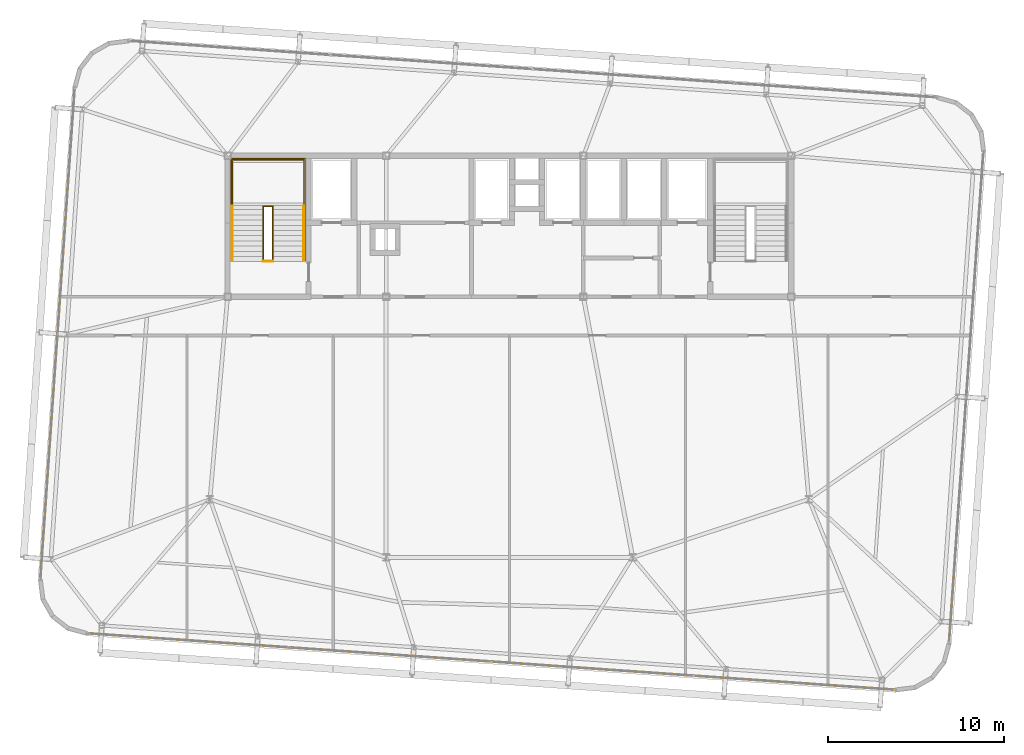
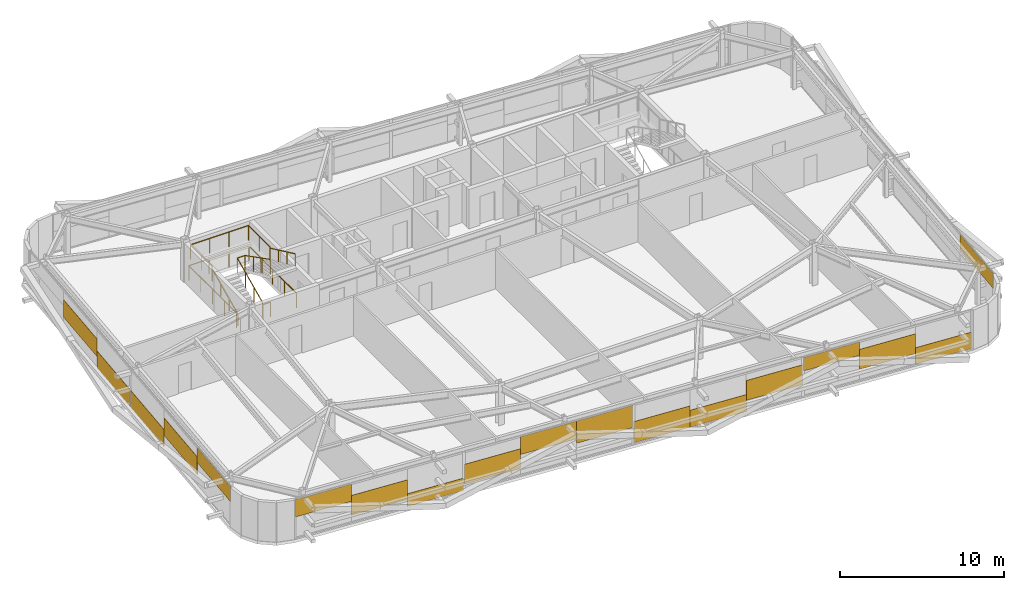
# One storey, part 38 of 39: 18 coverings, 6 railings.
"""IFC4 building model written with IfcOpenShell, lengths in metres."""

from ifc_helpers import new_model, si_unit, direction, frame, origin, origin_2d, place, context, subcontext, project, spatial, rectangle, extrude, source, transform, mapped, material, layer, layer_set, type_object, element, save


model = new_model("IFC4")

# Units and contexts
model_context = context("Model", 3, precision=1e-05, world=origin(), true_north=direction((0.0, 1.0)))
body_context = subcontext(model_context, "Body", "Model", "MODEL_VIEW")
ifc_project = project(units=[si_unit("LENGTHUNIT", "METRE"), si_unit("AREAUNIT", "SQUARE_METRE"), si_unit("VOLUMEUNIT", "CUBIC_METRE"), si_unit("PLANEANGLEUNIT", "RADIAN"), si_unit("MASSUNIT", "GRAM", prefix="KILO")], contexts=[model_context])

# Site, building, storey
site_placement = place(None, origin())
site = spatial("IfcSite", under=ifc_project, at=site_placement, CompositionType="ELEMENT")
building_placement = place(site_placement, origin())
building = spatial("IfcBuilding", under=site, at=building_placement, Name="Taldren Reach Tower", CompositionType="ELEMENT")
storey_placement = place(building_placement, frame((0.0, 0.0, 148.75)))
storey = spatial("IfcBuildingStorey", under=building, at=storey_placement, Name="L45", CompositionType="ELEMENT", Elevation=148.75)

# Railings
ifc_material_1 = material(Name="Steel Gr 350 (C350L0)", Category="steel")
ifc_layer_1 = layer(ifc_material_1, 0.050048828125)
ifc_layer_set_1 = layer_set([ifc_layer_1], Name="Steel Gr 350 (C350L0)")
railing_type_1 = type_object("IfcRailingType", Name="RL-STAIR-GR", PredefinedType="GUARDRAIL", material=ifc_layer_set_1)
railing_1_placement = place(storey_placement, frame((19.260009765625, 29.135009765625, 1.574951171875)))
element("IfcRailing", 1, at=railing_1_placement, inside=storey, type_object=railing_type_1, Name="Stair half-landing perimeter guard ST1-L45", PredefinedType="GUARDRAIL", context=body_context, shape_type="SweptSolid", body=[
    extrude(rectangle(XDim=0.047852, YDim=0.047852, at=origin_2d()), frame((0.0, 0.0, 1.09619140625), z_axis=(0.0, 1.0, 0.0), x_axis=(-1.0, 0.0, 0.0)), (0.0, 0.0, 1.0), 2.64501953125),
    extrude(rectangle(XDim=0.047852, YDim=0.047852, at=origin_2d()), frame((0.0, 2.64501953125, 1.09619140625), z_axis=(1.0, 0.0, 0.0), x_axis=(0.0, 1.0, 0.0)), (0.0, 0.0, 1.0), 4.080078125),
    extrude(rectangle(XDim=0.047852, YDim=0.047852, at=origin_2d()), frame((4.080078125, 2.64501953125, 1.09619140625), z_axis=(0.0, -1.0, 0.0), x_axis=(1.0, 0.0, 0.0)), (0.0, 0.0, 1.0), 2.64501953125),
    extrude(rectangle(XDim=0.041992, YDim=0.041992, at=origin_2d()), origin(), (0.0, 0.0, 1.0), 1.072021484375),
    extrude(rectangle(XDim=0.041992, YDim=0.041992, at=origin_2d()), frame((0.0, 1.322509765625, 0.0)), (0.0, 0.0, 1.0), 1.072021484375),
    extrude(rectangle(XDim=0.041992, YDim=0.041992, at=origin_2d()), frame((0.0, 2.64501953125, 0.0)), (0.0, 0.0, 1.0), 1.072021484375),
    extrude(rectangle(XDim=0.041992, YDim=0.041992, at=origin_2d()), frame((1.360107421875, 2.64501953125, 0.0)), (0.0, 0.0, 1.0), 1.072021484375),
    extrude(rectangle(XDim=0.041992, YDim=0.041992, at=origin_2d()), frame((2.719970703125, 2.64501953125, 0.0)), (0.0, 0.0, 1.0), 1.072021484375),
    extrude(rectangle(XDim=0.041992, YDim=0.041992, at=origin_2d()), frame((4.080078125, 2.64501953125, 0.0)), (0.0, 0.0, 1.0), 1.072021484375),
    extrude(rectangle(XDim=0.041992, YDim=0.041992, at=origin_2d()), frame((4.080078125, 1.322509765625, 0.0)), (0.0, 0.0, 1.0), 1.072021484375),
    extrude(rectangle(XDim=0.041992, YDim=0.041992, at=origin_2d()), frame((4.080078125, 0.0, 0.0)), (0.0, 0.0, 1.0), 1.072021484375),
])
railing_2_placement = place(storey_placement, frame((21.030029296875, 26.050048828125, 0.131103515625)))
element("IfcRailing", 2, at=railing_2_placement, inside=storey, type_object=railing_type_1, Name="Stairwell inner guard ST1-L45", PredefinedType="GUARDRAIL", context=body_context, shape_type="SweptSolid", body=[
    extrude(rectangle(XDim=0.047852, YDim=0.047852, at=origin_2d()), frame((0.0, 0.0, 1.09619140625), z_axis=(0.0, 0.905710134349, 0.423897573167), x_axis=(-1.0, 0.0, 0.0)), (0.0, 0.0, 1.0), 3.406005859375),
    extrude(rectangle(XDim=0.047852, YDim=0.047852, at=origin_2d()), frame((0.0, 3.0849609375, 2.5400390625), z_axis=(1.0, 0.0, 0.0), x_axis=(0.0, 1.0, 0.0)), (0.0, 0.0, 1.0), 0.5400390625),
    extrude(rectangle(XDim=0.047852, YDim=0.047852, at=origin_2d()), frame((0.5400390625, 3.0849609375, 2.5400390625), z_axis=(0.0, -0.890645957773, 0.45469745755), x_axis=(1.0, 0.0, 0.0)), (0.0, 0.0, 1.0), 3.463623046875),
    extrude(rectangle(XDim=0.041992, YDim=0.041992, at=origin_2d()), origin(), (0.0, 0.0, 1.0), 1.072021484375),
    extrude(rectangle(XDim=0.041992, YDim=0.041992, at=origin_2d()), frame((0.0, 1.0283203125, 0.481201171875)), (0.0, 0.0, 1.0), 1.072021484375),
    extrude(rectangle(XDim=0.041992, YDim=0.041992, at=origin_2d()), frame((0.0, 2.056640625, 0.962646484375)), (0.0, 0.0, 1.0), 1.072021484375),
    extrude(rectangle(XDim=0.041992, YDim=0.041992, at=origin_2d()), frame((0.0, 3.0849609375, 1.44384765625)), (0.0, 0.0, 1.0), 1.072021484375),
    extrude(rectangle(XDim=0.041992, YDim=0.041992, at=origin_2d()), frame((0.5400390625, 3.0849609375, 1.44384765625)), (0.0, 0.0, 1.0), 1.072021484375),
    extrude(rectangle(XDim=0.041992, YDim=0.041992, at=origin_2d()), frame((0.5400390625, 2.056640625, 1.96875)), (0.0, 0.0, 1.0), 1.072021484375),
    extrude(rectangle(XDim=0.041992, YDim=0.041992, at=origin_2d()), frame((0.5400390625, 1.0283203125, 2.493896484375)), (0.0, 0.0, 1.0), 1.072021484375),
    extrude(rectangle(XDim=0.041992, YDim=0.041992, at=origin_2d()), frame((0.5400390625, 0.0, 3.018798828125)), (0.0, 0.0, 1.0), 1.072021484375),
])
railing_3_placement = place(storey_placement, frame((21.030029296875, 26.010009765625, 0.0)))
element("IfcRailing", 3, at=railing_3_placement, inside=storey, type_object=railing_type_1, Name="Stairwell landing slot guard ST1-L45", PredefinedType="GUARDRAIL", context=body_context, shape_type="SweptSolid", body=[
    extrude(rectangle(XDim=0.047852, YDim=0.047852, at=origin_2d()), frame((0.0, 0.0, 1.09619140625), z_axis=(1.0, 0.0, 0.0), x_axis=(0.0, 1.0, 0.0)), (0.0, 0.0, 1.0), 0.5400390625),
    extrude(rectangle(XDim=0.041992, YDim=0.041992, at=origin_2d()), origin(), (0.0, 0.0, 1.0), 1.072021484375),
    extrude(rectangle(XDim=0.041992, YDim=0.041992, at=origin_2d()), frame((0.5400390625, 0.0, 0.0)), (0.0, 0.0, 1.0), 1.072021484375),
])
railing_4_placement = place(storey_placement, frame((19.18994140625, 26.050048828125, 0.0)))
element("IfcRailing", 4, at=railing_4_placement, inside=storey, type_object=railing_type_1, Name="Stairwell floor opening guard ST1-L45", PredefinedType="GUARDRAIL", context=body_context, shape_type="SweptSolid", body=[
    extrude(rectangle(XDim=0.047852, YDim=0.047852, at=origin_2d()), frame((0.0, 0.0, 1.09619140625), z_axis=(0.0, 1.0, 0.0), x_axis=(-1.0, 0.0, 0.0)), (0.0, 0.0, 1.0), 5.800048828125),
    extrude(rectangle(XDim=0.047852, YDim=0.047852, at=origin_2d()), frame((0.0, 5.800048828125, 1.09619140625), z_axis=(1.0, 0.0, 0.0), x_axis=(0.0, 1.0, 0.0)), (0.0, 0.0, 1.0), 4.219970703125),
    extrude(rectangle(XDim=0.047852, YDim=0.047852, at=origin_2d()), frame((4.219970703125, 5.800048828125, 1.09619140625), z_axis=(0.0, -1.0, 0.0), x_axis=(1.0, 0.0, 0.0)), (0.0, 0.0, 1.0), 5.800048828125),
    extrude(rectangle(XDim=0.041992, YDim=0.041992, at=origin_2d()), origin(), (0.0, 0.0, 1.0), 1.072021484375),
    extrude(rectangle(XDim=0.041992, YDim=0.041992, at=origin_2d()), frame((0.0, 1.449951171875, 0.0)), (0.0, 0.0, 1.0), 1.072021484375),
    extrude(rectangle(XDim=0.041992, YDim=0.041992, at=origin_2d()), frame((0.0, 2.89990234375, 0.0)), (0.0, 0.0, 1.0), 1.072021484375),
    extrude(rectangle(XDim=0.041992, YDim=0.041992, at=origin_2d()), frame((0.0, 4.35009765625, 0.0)), (0.0, 0.0, 1.0), 1.072021484375),
    extrude(rectangle(XDim=0.041992, YDim=0.041992, at=origin_2d()), frame((0.0, 5.800048828125, 0.0)), (0.0, 0.0, 1.0), 1.072021484375),
    extrude(rectangle(XDim=0.041992, YDim=0.041992, at=origin_2d()), frame((1.40673828125, 5.800048828125, 0.0)), (0.0, 0.0, 1.0), 1.072021484375),
    extrude(rectangle(XDim=0.041992, YDim=0.041992, at=origin_2d()), frame((2.813232421875, 5.800048828125, 0.0)), (0.0, 0.0, 1.0), 1.072021484375),
    extrude(rectangle(XDim=0.041992, YDim=0.041992, at=origin_2d()), frame((4.219970703125, 5.800048828125, 0.0)), (0.0, 0.0, 1.0), 1.072021484375),
    extrude(rectangle(XDim=0.041992, YDim=0.041992, at=origin_2d()), frame((4.219970703125, 4.35009765625, 0.0)), (0.0, 0.0, 1.0), 1.072021484375),
    extrude(rectangle(XDim=0.041992, YDim=0.041992, at=origin_2d()), frame((4.219970703125, 2.89990234375, 0.0)), (0.0, 0.0, 1.0), 1.072021484375),
    extrude(rectangle(XDim=0.041992, YDim=0.041992, at=origin_2d()), frame((4.219970703125, 1.449951171875, 0.0)), (0.0, 0.0, 1.0), 1.072021484375),
    extrude(rectangle(XDim=0.041992, YDim=0.041992, at=origin_2d()), frame((4.219970703125, 0.0, 0.0)), (0.0, 0.0, 1.0), 1.072021484375),
])
ifc_material_2 = material(Name="Stainless Steel Gr 316", Category="steel")
ifc_layer_2 = layer(ifc_material_2, 0.048095703125)
ifc_layer_set_2 = layer_set([ifc_layer_2], Name="Stainless Steel Gr 316")
railing_type_2 = type_object("IfcRailingType", Name="RL-STAIR-HR", PredefinedType="HANDRAIL", material=ifc_layer_set_2)
railing_5_placement = place(storey_placement, frame((19.27001953125, 26.050048828125, 0.131103515625)))
element("IfcRailing", 5, at=railing_5_placement, inside=storey, type_object=railing_type_2, Name="Stair flight handrail ST1-L45-1", PredefinedType="HANDRAIL", context=body_context, shape_type="SweptSolid", body=[
    extrude(rectangle(XDim=0.047852, YDim=0.047852, at=origin_2d()), frame((0.0, 0.0, 0.89599609375), z_axis=(0.0, 0.905710134349, 0.423897573167), x_axis=(-1.0, 0.0, 0.0)), (0.0, 0.0, 1.0), 3.406005859375),
    extrude(rectangle(XDim=0.041992, YDim=0.041992, at=origin_2d()), origin(), (0.0, 0.0, 1.0), 0.871826171875),
    extrude(rectangle(XDim=0.041992, YDim=0.041992, at=origin_2d()), frame((0.0, 1.0283203125, 0.481201171875)), (0.0, 0.0, 1.0), 0.871826171875),
    extrude(rectangle(XDim=0.041992, YDim=0.041992, at=origin_2d()), frame((0.0, 2.056640625, 0.962646484375)), (0.0, 0.0, 1.0), 0.871826171875),
    extrude(rectangle(XDim=0.041992, YDim=0.041992, at=origin_2d()), frame((0.0, 3.0849609375, 1.44384765625)), (0.0, 0.0, 1.0), 0.871826171875),
])
railing_6_placement = place(storey_placement, frame((23.330078125, 29.135009765625, 1.706298828125)))
element("IfcRailing", 6, at=railing_6_placement, inside=storey, type_object=railing_type_2, Name="Stair flight handrail ST1-L45-2", PredefinedType="HANDRAIL", context=body_context, shape_type="SweptSolid", body=[
    extrude(rectangle(XDim=0.047852, YDim=0.047852, at=origin_2d()), frame((0.0, 0.0, 0.89599609375), z_axis=(0.0, -0.905737652094, 0.423838773095), x_axis=(1.0, 0.0, 0.0)), (0.0, 0.0, 1.0), 3.406005859375),
    extrude(rectangle(XDim=0.041992, YDim=0.041992, at=origin_2d()), origin(), (0.0, 0.0, 1.0), 0.871826171875),
    extrude(rectangle(XDim=0.041992, YDim=0.041992, at=origin_2d()), frame((0.0, -1.0283203125, 0.481201171875)), (0.0, 0.0, 1.0), 0.871826171875),
    extrude(rectangle(XDim=0.041992, YDim=0.041992, at=origin_2d()), frame((0.0, -2.056640625, 0.96240234375)), (0.0, 0.0, 1.0), 0.871826171875),
    extrude(rectangle(XDim=0.041992, YDim=0.041992, at=origin_2d()), frame((0.0, -3.0849609375, 1.443603515625)), (0.0, 0.0, 1.0), 0.871826171875),
])

# Coverings
ifc_material_3 = material(Name="Pale Champagne Fluoropolymer Aluminium Spandrel Cladding", Category="aluminium")
ifc_layer_3 = layer(ifc_material_3, 0.0439453125)
ifc_layer_set_3 = layer_set([ifc_layer_3], Name="Pale Champagne Fluoropolymer Aluminium Spandrel Cladding")
covering_type = type_object("IfcCoveringType", Name="CV-CLAD-044", PredefinedType="CLADDING", material=ifc_layer_set_3)
shared_shape_1 = source(origin(), body_context, "Body", "SweptSolid", [
    extrude(rectangle(XDim=3.79833984375, YDim=0.0439453125, at=origin_2d()), origin(), (0.0, 0.0, 1.0), 1.22216796875),
])
covering_1_placement = place(storey_placement, frame((54.95361328125, 1.81396484375, 0.054931640625), z_axis=(0.0, 0.0, 1.0), x_axis=(0.99756404731, -0.06975651593, 0.0)))
element("IfcCovering", 7, at=covering_1_placement, inside=storey, type_object=covering_type, Name="Diagrid closure cladding strip CW-4 panel 4.1 3", PredefinedType="CLADDING", context=body_context, shape_type="MappedRepresentation", body=[
    mapped(shared_shape_1, transform((0.0, 0.0, 0.0), scale=1.0)),
])
shared_shape_2 = source(origin(), body_context, "Body", "SweptSolid", [
    extrude(rectangle(XDim=3.79833984375, YDim=0.0439453125, at=origin_2d()), origin(), (0.0, 0.0, 1.0), 1.474365234375),
])
for number, where, z_axis, x_axis, name in (
    (8, (16.783447265625, 4.483154296875, 0.5537109375), (0.0, 0.0, 1.0), (0.99756404731, -0.06975651593, 0.0), "Diagrid closure cladding strip CW-4 panel 1.1 2"),
    (9, (51.16455078125, 2.0791015625, 0.84228515625), (0.0, 0.0, 1.0), (0.99756404731, -0.06975651593, 0.0), "Diagrid closure cladding strip CW-4 panel 4.1 2"),
):
    element("IfcCovering", number, at=place(storey_placement, frame(where, z_axis=z_axis, x_axis=x_axis)), inside=storey, type_object=covering_type, Name=name, PredefinedType="CLADDING", context=body_context, shape_type="MappedRepresentation", body=[
        mapped(shared_shape_2, transform((0.0, 0.0, 0.0), scale=1.0)),
    ])
shared_shape_3 = source(origin(), body_context, "Body", "SweptSolid", [
    extrude(rectangle(XDim=3.79833984375, YDim=0.0439453125, at=origin_2d()), origin(), (0.0, 0.0, 1.0), 0.993408203125),
])
covering_2_placement = place(storey_placement, frame((47.375244140625, 2.343994140625, 1.88134765625), z_axis=(0.0, 0.0, 1.0), x_axis=(0.99756404731, -0.06975651593, 0.0)))
element("IfcCovering", 10, at=covering_2_placement, inside=storey, type_object=covering_type, Name="Diagrid closure cladding strip CW-4 panel 4.1 1", PredefinedType="CLADDING", context=body_context, shape_type="MappedRepresentation", body=[
    mapped(shared_shape_3, transform((0.0, 0.0, 0.0), scale=1.0)),
])
shared_shape_4 = source(origin(), body_context, "Body", "SweptSolid", [
    extrude(rectangle(XDim=3.81005859375, YDim=0.0439453125, at=origin_2d()), origin(), (0.0, 0.0, 1.0), 1.477783203125),
])
for number, where, z_axis, x_axis, name in (
    (11, (24.437255859375, 3.947998046875, 0.51025390625), (0.0, 0.0, 1.0), (0.99756404731, -0.06975651593, 0.0), "Diagrid closure cladding strip CW-4 panel 2.1 1"),
    (12, (43.510498046875, 2.6142578125, 0.88232421875), (0.0, 0.0, 1.0), (0.99756404731, -0.06975651593, 0.0), "Diagrid closure cladding strip CW-4 panel 3.1 3"),
):
    element("IfcCovering", number, at=place(storey_placement, frame(where, z_axis=z_axis, x_axis=x_axis)), inside=storey, type_object=covering_type, Name=name, PredefinedType="CLADDING", context=body_context, shape_type="MappedRepresentation", body=[
        mapped(shared_shape_4, transform((0.0, 0.0, 0.0), scale=1.0)),
    ])
shared_shape_5 = source(origin(), body_context, "Body", "SweptSolid", [
    extrude(rectangle(XDim=3.81005859375, YDim=0.0439453125, at=origin_2d()), origin(), (0.0, 0.0, 1.0), 1.26220703125),
])
covering_3_placement = place(storey_placement, frame((39.7099609375, 2.8798828125, 0.05517578125), z_axis=(0.0, 0.0, 1.0), x_axis=(0.99756404731, -0.06975651593, 0.0)))
element("IfcCovering", 13, at=covering_3_placement, inside=storey, type_object=covering_type, Name="Diagrid closure cladding strip CW-4 panel 3.1 2", PredefinedType="CLADDING", context=body_context, shape_type="MappedRepresentation", body=[
    mapped(shared_shape_5, transform((0.0, 0.0, 0.0), scale=1.0)),
])
shared_shape_6 = source(origin(), body_context, "Body", "SweptSolid", [
    extrude(rectangle(XDim=3.81005859375, YDim=0.0439453125, at=origin_2d()), origin(), (0.0, 0.0, 1.0), 1.587890625),
])
covering_4_placement = place(storey_placement, frame((35.9091796875, 3.145751953125, 0.054931640625), z_axis=(0.0, 0.0, 1.0), x_axis=(0.99756404731, -0.06975651593, 0.0)))
element("IfcCovering", 14, at=covering_4_placement, inside=storey, type_object=covering_type, Name="Diagrid closure cladding strip CW-4 panel 3.1 1", PredefinedType="CLADDING", context=body_context, shape_type="MappedRepresentation", body=[
    mapped(shared_shape_6, transform((0.0, 0.0, 0.0), scale=1.0)),
])
shared_shape_7 = source(origin(), body_context, "Body", "SweptSolid", [
    extrude(rectangle(XDim=3.81005859375, YDim=0.0439453125, at=origin_2d()), origin(), (0.0, 0.0, 1.0), 1.64794921875),
])
covering_5_placement = place(storey_placement, frame((32.03857421875, 3.41650390625, 1.22705078125), z_axis=(0.0, 0.0, 1.0), x_axis=(0.99756404731, -0.06975651593, 0.0)))
element("IfcCovering", 15, at=covering_5_placement, inside=storey, type_object=covering_type, Name="Diagrid closure cladding strip CW-4 panel 2.1 3", PredefinedType="CLADDING", context=body_context, shape_type="MappedRepresentation", body=[
    mapped(shared_shape_7, transform((0.0, 0.0, 0.0), scale=1.0)),
])
shared_shape_8 = source(origin(), body_context, "Body", "SweptSolid", [
    extrude(rectangle(XDim=3.81005859375, YDim=0.0439453125, at=origin_2d()), origin(), (0.0, 0.0, 1.0), 1.322265625),
])
covering_6_placement = place(storey_placement, frame((28.23779296875, 3.68212890625, 1.552734375), z_axis=(0.0, 0.0, 1.0), x_axis=(0.99756404731, -0.06975651593, 0.0)))
element("IfcCovering", 16, at=covering_6_placement, inside=storey, type_object=covering_type, Name="Diagrid closure cladding strip CW-4 panel 2.1 2", PredefinedType="CLADDING", context=body_context, shape_type="MappedRepresentation", body=[
    mapped(shared_shape_8, transform((0.0, 0.0, 0.0), scale=1.0)),
])
shared_shape_9 = source(origin(), body_context, "Body", "SweptSolid", [
    extrude(rectangle(XDim=3.79833984375, YDim=0.0439453125, at=origin_2d()), origin(), (0.0, 0.0, 1.0), 0.93359375),
])
covering_7_placement = place(storey_placement, frame((20.572509765625, 4.21826171875, 0.054931640625), z_axis=(0.0, 0.0, 1.0), x_axis=(0.99756404731, -0.06975651593, 0.0)))
element("IfcCovering", 17, at=covering_7_placement, inside=storey, type_object=covering_type, Name="Diagrid closure cladding strip CW-4 panel 1.1 3", PredefinedType="CLADDING", context=body_context, shape_type="MappedRepresentation", body=[
    mapped(shared_shape_9, transform((0.0, 0.0, 0.0), scale=1.0)),
])
shared_shape_10 = source(origin(), body_context, "Body", "SweptSolid", [
    extrude(rectangle(XDim=3.79833984375, YDim=0.0439453125, at=origin_2d()), origin(), (0.0, 0.0, 1.0), 1.2822265625),
])
covering_8_placement = place(storey_placement, frame((12.994384765625, 4.748046875, 1.5927734375), z_axis=(0.0, 0.0, 1.0), x_axis=(0.99756404731, -0.06975651593, 0.0)))
element("IfcCovering", 18, at=covering_8_placement, inside=storey, type_object=covering_type, Name="Diagrid closure cladding strip CW-4 panel 1.1 1", PredefinedType="CLADDING", context=body_context, shape_type="MappedRepresentation", body=[
    mapped(shared_shape_10, transform((0.0, 0.0, 0.0), scale=1.0)),
])
shared_shape_11 = source(origin(), body_context, "Body", "SweptSolid", [
    extrude(rectangle(XDim=4.631591796875, YDim=0.0439453125, at=origin_2d()), origin(), (0.0, 0.0, 1.0), 1.306640625),
])
for number, where, z_axis, x_axis, name in (
    (19, (9.840087890625, 28.869384765625, 0.892333984375), (0.0, 0.0, 1.0), (-0.069756437251, -0.997564052812, 0.0), "Diagrid closure cladding strip CW-4 panel 1.1 2"),
    (20, (8.865966796875, 14.9384765625, 0.892333984375), (0.0, 0.0, 1.0), (-0.069756437251, -0.997564052812, 0.0), "Diagrid closure cladding strip CW-4 panel 2.1 2"),
):
    element("IfcCovering", number, at=place(storey_placement, frame(where, z_axis=z_axis, x_axis=x_axis)), inside=storey, type_object=covering_type, Name=name, PredefinedType="CLADDING", context=body_context, shape_type="MappedRepresentation", body=[
        mapped(shared_shape_11, transform((0.0, 0.0, 0.0), scale=1.0)),
    ])
shared_shape_12 = source(origin(), body_context, "Body", "SweptSolid", [
    extrude(rectangle(XDim=4.631591796875, YDim=0.0439453125, at=origin_2d()), origin(), (0.0, 0.0, 1.0), 1.103515625),
])
for number, where, z_axis, x_axis, name in (
    (21, (8.542724609375, 10.318115234375, 1.771484375), (0.0, 0.0, 1.0), (-0.069756437251, -0.997564052812, 0.0), "Diagrid closure cladding strip CW-4 panel 2.1 3"),
    (22, (60.136962890625, 6.710205078125, 1.771484375), (0.0, 0.0, 1.0), (0.069756437251, 0.997564052812, 0.0), "Diagrid closure cladding strip CW-4 panel 1.1 1"),
):
    element("IfcCovering", number, at=place(storey_placement, frame(where, z_axis=z_axis, x_axis=x_axis)), inside=storey, type_object=covering_type, Name=name, PredefinedType="CLADDING", context=body_context, shape_type="MappedRepresentation", body=[
        mapped(shared_shape_12, transform((0.0, 0.0, 0.0), scale=1.0)),
    ])
shared_shape_13 = source(origin(), body_context, "Body", "SweptSolid", [
    extrude(rectangle(XDim=4.631591796875, YDim=0.0439453125, at=origin_2d()), origin(), (0.0, 0.0, 1.0), 1.2646484375),
])
for number, where, z_axis, x_axis, name in (
    (23, (9.51708984375, 24.2490234375, 0.054931640625), (0.0, 0.0, 1.0), (-0.069756437251, -0.997564052812, 0.0), "Diagrid closure cladding strip CW-4 panel 1.1 3"),
    (24, (9.18896484375, 19.558837890625, 0.054931640625), (0.0, 0.0, 1.0), (-0.069756437251, -0.997564052812, 0.0), "Diagrid closure cladding strip CW-4 panel 2.1 1"),
):
    element("IfcCovering", number, at=place(storey_placement, frame(where, z_axis=z_axis, x_axis=x_axis)), inside=storey, type_object=covering_type, Name=name, PredefinedType="CLADDING", context=body_context, shape_type="MappedRepresentation", body=[
        mapped(shared_shape_13, transform((0.0, 0.0, 0.0), scale=1.0)),
    ])

save(model, "model.ifc")
